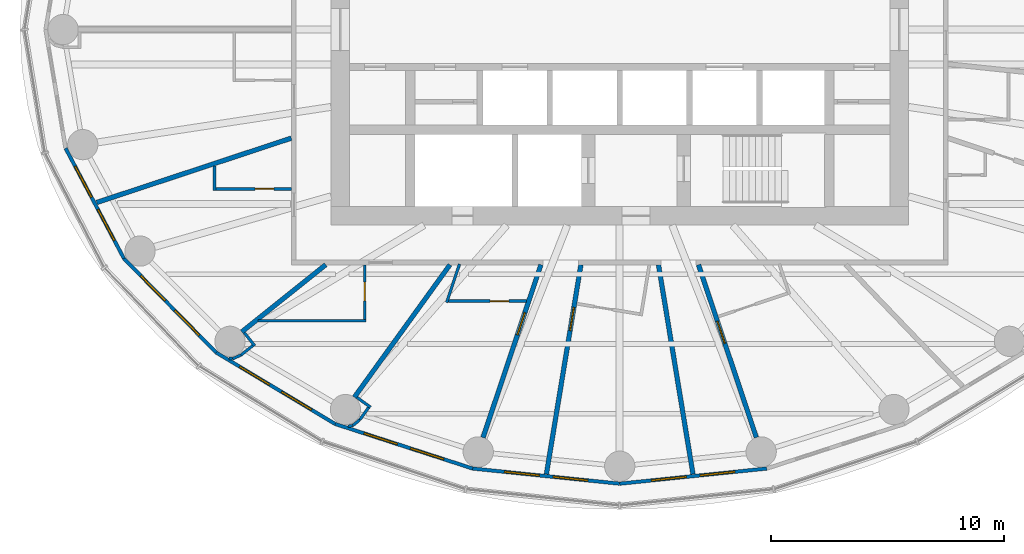
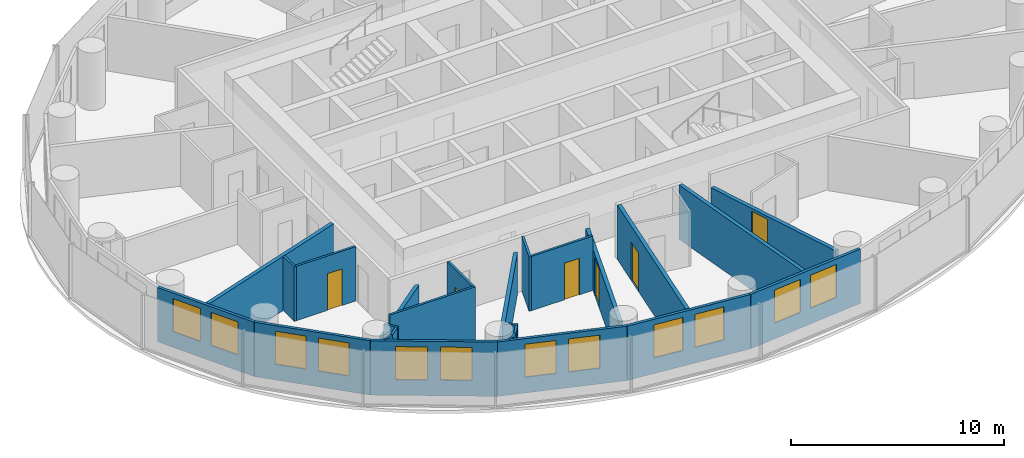
# One storey, part 6 of 13: 27 walls, 12 windows, 6 doors, 18 openings.
"""IFC4 building model written with IfcOpenShell, lengths in metres."""

from ifc_helpers import new_model, si_unit, direction, frame, frame_2d, origin, place, context, subcontext, project, spatial, rectangle, extrude, material, layer, layer_set, type_object, element, fill, save


model = new_model("IFC4")

# Units and contexts
model_context = context("Model", 3, precision=1e-05, world=origin(), true_north=direction((0.0, 1.0)))
body_context = subcontext(model_context, "Body", "Model", "MODEL_VIEW")
ifc_project = project(units=[si_unit("LENGTHUNIT", "METRE"), si_unit("AREAUNIT", "SQUARE_METRE"), si_unit("VOLUMEUNIT", "CUBIC_METRE"), si_unit("PLANEANGLEUNIT", "RADIAN"), si_unit("MASSUNIT", "GRAM", prefix="KILO")], contexts=[model_context])

# Site, building, storey
site_placement = place(None, origin())
site = spatial("IfcSite", under=ifc_project, at=site_placement, CompositionType="ELEMENT")
building_placement = place(site_placement, origin())
building = spatial("IfcBuilding", under=site, at=building_placement, Name="Hankou Lantern Tower", CompositionType="ELEMENT")
storey_placement = place(building_placement, frame((0.0, 0.0, 122.10009765625)))
storey = spatial("IfcBuildingStorey", under=building, at=storey_placement, Name="L31", CompositionType="ELEMENT", Elevation=122.10009765625)

# Wall, openings, windows
ifc_material_1 = material(Name="Aluminium spandrel panel on steel studs", Category="steel")
ifc_layer_1 = layer(ifc_material_1, 0.14990234375)
ifc_layer_set_1 = layer_set([ifc_layer_1], Name="Aluminium spandrel panel on steel studs")
wall_type_1 = type_object("IfcWallType", Name="EW1 INNER SKIN WALL 150", PredefinedType="ELEMENTEDWALL", material=ifc_layer_set_1)
wall_1_placement = place(storey_placement, frame((-23.7919921875, -5.10009765625, 0.0), z_axis=(0.0, 0.0, 1.0), x_axis=(0.467814388454, -0.883826735257, 0.0)))
wall_1 = element("IfcWall", 1, at=wall_1_placement, inside=storey, type_object=wall_type_1, Name="Inner skin R14-R15 L31", PredefinedType="ELEMENTEDWALL", context=body_context, shape_type="SweptSolid", body=[
    extrude(rectangle(XDim=5.35400390625, YDim=0.14990234375, at=frame_2d((2.677001953125, 0.0))), origin(), (0.0, 0.0, 1.0), 3.119873046875),
])
opening_1_placement = place(wall_1_placement, frame((0.876953125, 0.0, 0.89990234375)))
opening_1 = element("IfcOpeningElement", 2, at=opening_1_placement, cuts=wall_1, Name="Opening W2", PredefinedType="OPENING", context=body_context, shape_type="SweptSolid", body=[
    extrude(rectangle(XDim=1.5, YDim=1.89990234375, at=frame_2d((0.75, 0.949951171875))), frame((0.0, 0.0849609375, 0.0), z_axis=(0.0, -1.0, 0.0), x_axis=(1.0, 0.0, 0.0)), (0.0, 0.0, 1.0), 0.169921875),
])
opening_2_placement = place(wall_1_placement, frame((2.97705078125, 0.0, 0.89990234375)))
opening_2 = element("IfcOpeningElement", 3, at=opening_2_placement, cuts=wall_1, Name="Opening W2", PredefinedType="OPENING", context=body_context, shape_type="SweptSolid", body=[
    extrude(rectangle(XDim=1.5, YDim=1.89990234375, at=frame_2d((0.75, 0.949951171875))), frame((0.0, 0.0849609375, 0.0), z_axis=(0.0, -1.0, 0.0), x_axis=(1.0, 0.0, 0.0)), (0.0, 0.0, 1.0), 0.169921875),
])
ifc_material_2 = material(Name="Aluminium framed double glazed window", Category="aluminium")
window_type = type_object("IfcWindowType", Name="W2 GUEST ROOM WINDOW 1500X1900", PartitioningType="DOUBLE_PANEL_VERTICAL", PredefinedType="WINDOW", material=ifc_material_2)
window_1_placement = place(opening_1_placement, origin())
window_1 = element("IfcWindow", 4, at=window_1_placement, inside=storey, type_object=window_type, Name="Window R14.1 L31", OverallHeight=1.89990234375, OverallWidth=1.5, PartitioningType="SINGLE_PANEL", PredefinedType="WINDOW", context=body_context, shape_type="SweptSolid", body=[
    extrude(rectangle(XDim=1.5, YDim=1.89990234375, at=frame_2d((0.75, 0.949951171875))), frame((0.0, 0.030029296875, 0.0), z_axis=(0.0, -1.0, 0.0), x_axis=(1.0, 0.0, 0.0)), (0.0, 0.0, 1.0), 0.06005859375),
])
fill(opening_1, window_1)
window_2_placement = place(opening_2_placement, origin())
window_2 = element("IfcWindow", 5, at=window_2_placement, inside=storey, type_object=window_type, Name="Window R14.2 L31", OverallHeight=1.89990234375, OverallWidth=1.5, PartitioningType="SINGLE_PANEL", PredefinedType="WINDOW", context=body_context, shape_type="SweptSolid", body=[
    extrude(rectangle(XDim=1.5, YDim=1.89990234375, at=frame_2d((0.75, 0.949951171875))), frame((0.0, 0.030029296875, 0.0), z_axis=(0.0, -1.0, 0.0), x_axis=(1.0, 0.0, 0.0)), (0.0, 0.0, 1.0), 0.06005859375),
])
fill(opening_2, window_2)

wall_2_placement = place(storey_placement, frame((-21.287353515625, -9.83203125, 0.0), z_axis=(0.0, 0.0, 1.0), x_axis=(0.700136650834, -0.714008872605, 0.0)))
wall_2 = element("IfcWall", 6, at=wall_2_placement, inside=storey, type_object=wall_type_1, Name="Inner skin R15-R16 L31", PredefinedType="ELEMENTEDWALL", context=body_context, shape_type="SweptSolid", body=[
    extrude(rectangle(XDim=5.6494140625, YDim=0.14990234375, at=frame_2d((2.82470703125, 0.0))), origin(), (0.0, 0.0, 1.0), 3.119873046875),
])
opening_3_placement = place(wall_2_placement, frame((1.024658203125, 0.0, 0.89990234375)))
opening_3 = element("IfcOpeningElement", 7, at=opening_3_placement, cuts=wall_2, Name="Opening W2", PredefinedType="OPENING", context=body_context, shape_type="SweptSolid", body=[
    extrude(rectangle(XDim=1.5, YDim=1.89990234375, at=frame_2d((0.75, 0.949951171875))), frame((0.0, 0.0849609375, 0.0), z_axis=(0.0, -1.0, 0.0), x_axis=(1.0, 0.0, 0.0)), (0.0, 0.0, 1.0), 0.169921875),
])
opening_4_placement = place(wall_2_placement, frame((3.12451171875, 0.0, 0.89990234375)))
opening_4 = element("IfcOpeningElement", 8, at=opening_4_placement, cuts=wall_2, Name="Opening W2", PredefinedType="OPENING", context=body_context, shape_type="SweptSolid", body=[
    extrude(rectangle(XDim=1.5, YDim=1.89990234375, at=frame_2d((0.75, 0.949951171875))), frame((0.0, 0.0849609375, 0.0), z_axis=(0.0, -1.0, 0.0), x_axis=(1.0, 0.0, 0.0)), (0.0, 0.0, 1.0), 0.169921875),
])
window_3_placement = place(opening_3_placement, origin())
window_3 = element("IfcWindow", 9, at=window_3_placement, inside=storey, type_object=window_type, Name="Window R15.1 L31", OverallHeight=1.89990234375, OverallWidth=1.5, PartitioningType="SINGLE_PANEL", PredefinedType="WINDOW", context=body_context, shape_type="SweptSolid", body=[
    extrude(rectangle(XDim=1.5, YDim=1.89990234375, at=frame_2d((0.75, 0.949951171875))), frame((0.0, 0.030029296875, 0.0), z_axis=(0.0, -1.0, 0.0), x_axis=(1.0, 0.0, 0.0)), (0.0, 0.0, 1.0), 0.06005859375),
])
fill(opening_3, window_3)
window_4_placement = place(opening_4_placement, origin())
window_4 = element("IfcWindow", 10, at=window_4_placement, inside=storey, type_object=window_type, Name="Window R15.2 L31", OverallHeight=1.89990234375, OverallWidth=1.5, PartitioningType="SINGLE_PANEL", PredefinedType="WINDOW", context=body_context, shape_type="SweptSolid", body=[
    extrude(rectangle(XDim=1.5, YDim=1.89990234375, at=frame_2d((0.75, 0.949951171875))), frame((0.0, 0.030029296875, 0.0), z_axis=(0.0, -1.0, 0.0), x_axis=(1.0, 0.0, 0.0)), (0.0, 0.0, 1.0), 0.06005859375),
])
fill(opening_4, window_4)

wall_3_placement = place(storey_placement, frame((-17.33203125, -13.86572265625, 0.0), z_axis=(0.0, 0.0, 1.0), x_axis=(0.857308573723, -0.514802884044, 0.0)))
wall_3 = element("IfcWall", 11, at=wall_3_placement, inside=storey, type_object=wall_type_1, Name="Inner skin R16-R17 L31", PredefinedType="ELEMENTEDWALL", context=body_context, shape_type="SweptSolid", body=[
    extrude(rectangle(XDim=5.961181640625, YDim=0.14990234375, at=frame_2d((2.98046875, 0.0))), origin(), (0.0, 0.0, 1.0), 3.119873046875),
])
opening_5_placement = place(wall_3_placement, frame((1.1806640625, 0.0, 0.89990234375)))
opening_5 = element("IfcOpeningElement", 12, at=opening_5_placement, cuts=wall_3, Name="Opening W2", PredefinedType="OPENING", context=body_context, shape_type="SweptSolid", body=[
    extrude(rectangle(XDim=1.5, YDim=1.89990234375, at=frame_2d((0.75, 0.949951171875))), frame((0.0, 0.0849609375, 0.0), z_axis=(0.0, -1.0, 0.0), x_axis=(1.0, 0.0, 0.0)), (0.0, 0.0, 1.0), 0.169921875),
])
opening_6_placement = place(wall_3_placement, frame((3.280517578125, 0.0, 0.89990234375)))
opening_6 = element("IfcOpeningElement", 13, at=opening_6_placement, cuts=wall_3, Name="Opening W2", PredefinedType="OPENING", context=body_context, shape_type="SweptSolid", body=[
    extrude(rectangle(XDim=1.5, YDim=1.89990234375, at=frame_2d((0.75, 0.949951171875))), frame((0.0, 0.0849609375, 0.0), z_axis=(0.0, -1.0, 0.0), x_axis=(1.0, 0.0, 0.0)), (0.0, 0.0, 1.0), 0.169921875),
])
window_5_placement = place(opening_5_placement, origin())
window_5 = element("IfcWindow", 14, at=window_5_placement, inside=storey, type_object=window_type, Name="Window R16.1 L31", OverallHeight=1.89990234375, OverallWidth=1.5, PartitioningType="SINGLE_PANEL", PredefinedType="WINDOW", context=body_context, shape_type="SweptSolid", body=[
    extrude(rectangle(XDim=1.5, YDim=1.89990234375, at=frame_2d((0.75, 0.949951171875))), frame((0.0, 0.030029296875, 0.0), z_axis=(0.0, -1.0, 0.0), x_axis=(1.0, 0.0, 0.0)), (0.0, 0.0, 1.0), 0.06005859375),
])
fill(opening_5, window_5)
window_6_placement = place(opening_6_placement, origin())
window_6 = element("IfcWindow", 15, at=window_6_placement, inside=storey, type_object=window_type, Name="Window R16.2 L31", OverallHeight=1.89990234375, OverallWidth=1.5, PartitioningType="SINGLE_PANEL", PredefinedType="WINDOW", context=body_context, shape_type="SweptSolid", body=[
    extrude(rectangle(XDim=1.5, YDim=1.89990234375, at=frame_2d((0.75, 0.949951171875))), frame((0.0, 0.030029296875, 0.0), z_axis=(0.0, -1.0, 0.0), x_axis=(1.0, 0.0, 0.0)), (0.0, 0.0, 1.0), 0.06005859375),
])
fill(opening_6, window_6)

wall_4_placement = place(storey_placement, frame((-12.221435546875, -16.9345703125, 0.0), z_axis=(0.0, 0.0, 1.0), x_axis=(0.951272691506, -0.308350881944, 0.0)))
wall_4 = element("IfcWall", 16, at=wall_4_placement, inside=storey, type_object=wall_type_1, Name="Inner skin R17-R18 L31", PredefinedType="ELEMENTEDWALL", context=body_context, shape_type="SweptSolid", body=[
    extrude(rectangle(XDim=6.210693359375, YDim=0.14990234375, at=frame_2d((3.10546875, 0.0))), origin(), (0.0, 0.0, 1.0), 3.119873046875),
])
opening_7_placement = place(wall_4_placement, frame((1.305419921875, 0.0, 0.89990234375)))
opening_7 = element("IfcOpeningElement", 17, at=opening_7_placement, cuts=wall_4, Name="Opening W2", PredefinedType="OPENING", context=body_context, shape_type="SweptSolid", body=[
    extrude(rectangle(XDim=1.5, YDim=1.89990234375, at=frame_2d((0.75, 0.949951171875))), frame((0.0, 0.0849609375, 0.0), z_axis=(0.0, -1.0, 0.0), x_axis=(1.0, 0.0, 0.0)), (0.0, 0.0, 1.0), 0.169921875),
])
opening_8_placement = place(wall_4_placement, frame((3.4052734375, 0.0, 0.89990234375)))
opening_8 = element("IfcOpeningElement", 18, at=opening_8_placement, cuts=wall_4, Name="Opening W2", PredefinedType="OPENING", context=body_context, shape_type="SweptSolid", body=[
    extrude(rectangle(XDim=1.5, YDim=1.89990234375, at=frame_2d((0.75, 0.949951171875))), frame((0.0, 0.0849609375, 0.0), z_axis=(0.0, -1.0, 0.0), x_axis=(1.0, 0.0, 0.0)), (0.0, 0.0, 1.0), 0.169921875),
])
window_7_placement = place(opening_7_placement, origin())
window_7 = element("IfcWindow", 19, at=window_7_placement, inside=storey, type_object=window_type, Name="Window R17.1 L31", OverallHeight=1.89990234375, OverallWidth=1.5, PartitioningType="SINGLE_PANEL", PredefinedType="WINDOW", context=body_context, shape_type="SweptSolid", body=[
    extrude(rectangle(XDim=1.5, YDim=1.89990234375, at=frame_2d((0.75, 0.949951171875))), frame((0.0, 0.030029296875, 0.0), z_axis=(0.0, -1.0, 0.0), x_axis=(1.0, 0.0, 0.0)), (0.0, 0.0, 1.0), 0.06005859375),
])
fill(opening_7, window_7)
window_8_placement = place(opening_8_placement, origin())
window_8 = element("IfcWindow", 20, at=window_8_placement, inside=storey, type_object=window_type, Name="Window R17.2 L31", OverallHeight=1.89990234375, OverallWidth=1.5, PartitioningType="SINGLE_PANEL", PredefinedType="WINDOW", context=body_context, shape_type="SweptSolid", body=[
    extrude(rectangle(XDim=1.5, YDim=1.89990234375, at=frame_2d((0.75, 0.949951171875))), frame((0.0, 0.030029296875, 0.0), z_axis=(0.0, -1.0, 0.0), x_axis=(1.0, 0.0, 0.0)), (0.0, 0.0, 1.0), 0.06005859375),
])
fill(opening_8, window_8)

wall_5_placement = place(storey_placement, frame((-6.3134765625, -18.849609375, 0.0), z_axis=(0.0, 0.0, 1.0), x_axis=(0.994735690163, -0.102473931887, 0.0)))
wall_5 = element("IfcWall", 21, at=wall_5_placement, inside=storey, type_object=wall_type_1, Name="Inner skin R18-R19 L31", PredefinedType="ELEMENTEDWALL", context=body_context, shape_type="SweptSolid", body=[
    extrude(rectangle(XDim=6.346923828125, YDim=0.14990234375, at=frame_2d((3.17333984375, 0.0))), origin(), (0.0, 0.0, 1.0), 3.119873046875),
])
opening_9_placement = place(wall_5_placement, frame((1.373291015625, 0.0, 0.89990234375)))
opening_9 = element("IfcOpeningElement", 22, at=opening_9_placement, cuts=wall_5, Name="Opening W2", PredefinedType="OPENING", context=body_context, shape_type="SweptSolid", body=[
    extrude(rectangle(XDim=1.5, YDim=1.89990234375, at=frame_2d((0.75, 0.949951171875))), frame((0.0, 0.0849609375, 0.0), z_axis=(0.0, -1.0, 0.0), x_axis=(1.0, 0.0, 0.0)), (0.0, 0.0, 1.0), 0.169921875),
])
opening_10_placement = place(wall_5_placement, frame((3.473388671875, 0.0, 0.89990234375)))
opening_10 = element("IfcOpeningElement", 23, at=opening_10_placement, cuts=wall_5, Name="Opening W2", PredefinedType="OPENING", context=body_context, shape_type="SweptSolid", body=[
    extrude(rectangle(XDim=1.5, YDim=1.89990234375, at=frame_2d((0.75, 0.949951171875))), frame((0.0, 0.0849609375, 0.0), z_axis=(0.0, -1.0, 0.0), x_axis=(1.0, 0.0, 0.0)), (0.0, 0.0, 1.0), 0.169921875),
])
window_9_placement = place(opening_9_placement, origin())
window_9 = element("IfcWindow", 24, at=window_9_placement, inside=storey, type_object=window_type, Name="Window R18.1 L31", OverallHeight=1.89990234375, OverallWidth=1.5, PartitioningType="SINGLE_PANEL", PredefinedType="WINDOW", context=body_context, shape_type="SweptSolid", body=[
    extrude(rectangle(XDim=1.5, YDim=1.89990234375, at=frame_2d((0.75, 0.949951171875))), frame((0.0, 0.030029296875, 0.0), z_axis=(0.0, -1.0, 0.0), x_axis=(1.0, 0.0, 0.0)), (0.0, 0.0, 1.0), 0.06005859375),
])
fill(opening_9, window_9)
window_10_placement = place(opening_10_placement, origin())
window_10 = element("IfcWindow", 25, at=window_10_placement, inside=storey, type_object=window_type, Name="Window R18.2 L31", OverallHeight=1.89990234375, OverallWidth=1.5, PartitioningType="SINGLE_PANEL", PredefinedType="WINDOW", context=body_context, shape_type="SweptSolid", body=[
    extrude(rectangle(XDim=1.5, YDim=1.89990234375, at=frame_2d((0.75, 0.949951171875))), frame((0.0, 0.030029296875, 0.0), z_axis=(0.0, -1.0, 0.0), x_axis=(1.0, 0.0, 0.0)), (0.0, 0.0, 1.0), 0.06005859375),
])
fill(opening_10, window_10)

wall_6_placement = place(storey_placement, frame((0.0, -19.5, 0.0), z_axis=(0.0, 0.0, 1.0), x_axis=(0.994735690163, 0.102473931887, 0.0)))
wall_6 = element("IfcWall", 26, at=wall_6_placement, inside=storey, type_object=wall_type_1, Name="Inner skin R19-R20 L31", PredefinedType="ELEMENTEDWALL", context=body_context, shape_type="SweptSolid", body=[
    extrude(rectangle(XDim=6.346923828125, YDim=0.14990234375, at=frame_2d((3.17333984375, 0.0))), origin(), (0.0, 0.0, 1.0), 3.119873046875),
])
opening_11_placement = place(wall_6_placement, frame((1.373291015625, 0.0, 0.89990234375)))
opening_11 = element("IfcOpeningElement", 27, at=opening_11_placement, cuts=wall_6, Name="Opening W2", PredefinedType="OPENING", context=body_context, shape_type="SweptSolid", body=[
    extrude(rectangle(XDim=1.5, YDim=1.89990234375, at=frame_2d((0.75, 0.949951171875))), frame((0.0, 0.0849609375, 0.0), z_axis=(0.0, -1.0, 0.0), x_axis=(1.0, 0.0, 0.0)), (0.0, 0.0, 1.0), 0.169921875),
])
opening_12_placement = place(wall_6_placement, frame((3.473388671875, 0.0, 0.89990234375)))
opening_12 = element("IfcOpeningElement", 28, at=opening_12_placement, cuts=wall_6, Name="Opening W2", PredefinedType="OPENING", context=body_context, shape_type="SweptSolid", body=[
    extrude(rectangle(XDim=1.5, YDim=1.89990234375, at=frame_2d((0.75, 0.949951171875))), frame((0.0, 0.0849609375, 0.0), z_axis=(0.0, -1.0, 0.0), x_axis=(1.0, 0.0, 0.0)), (0.0, 0.0, 1.0), 0.169921875),
])
window_11_placement = place(opening_11_placement, origin())
window_11 = element("IfcWindow", 29, at=window_11_placement, inside=storey, type_object=window_type, Name="Window R19.1 L31", OverallHeight=1.89990234375, OverallWidth=1.5, PartitioningType="SINGLE_PANEL", PredefinedType="WINDOW", context=body_context, shape_type="SweptSolid", body=[
    extrude(rectangle(XDim=1.5, YDim=1.89990234375, at=frame_2d((0.75, 0.949951171875))), frame((0.0, 0.030029296875, 0.0), z_axis=(0.0, -1.0, 0.0), x_axis=(1.0, 0.0, 0.0)), (0.0, 0.0, 1.0), 0.06005859375),
])
fill(opening_11, window_11)
window_12_placement = place(opening_12_placement, origin())
window_12 = element("IfcWindow", 30, at=window_12_placement, inside=storey, type_object=window_type, Name="Window R19.2 L31", OverallHeight=1.89990234375, OverallWidth=1.5, PartitioningType="SINGLE_PANEL", PredefinedType="WINDOW", context=body_context, shape_type="SweptSolid", body=[
    extrude(rectangle(XDim=1.5, YDim=1.89990234375, at=frame_2d((0.75, 0.949951171875))), frame((0.0, 0.030029296875, 0.0), z_axis=(0.0, -1.0, 0.0), x_axis=(1.0, 0.0, 0.0)), (0.0, 0.0, 1.0), 0.06005859375),
])
fill(opening_12, window_12)

# Walls
ifc_material_3 = material(Name="Masonry lightweight concrete block", Category="masonry")
ifc_layer_2 = layer(ifc_material_3, 0.199951171875)
ifc_layer_set_2 = layer_set([ifc_layer_2], Name="Masonry lightweight concrete block")
wall_type_2 = type_object("IfcWallType", Name="IW1 GUEST ROOM PARTY WALL 200", PredefinedType="PARTITIONING", material=ifc_layer_set_2)
wall_7_placement = place(storey_placement, frame((-14.10009765625, -4.662353515625, 0.0), z_axis=(0.0, 0.0, 1.0), x_axis=(-0.949446466373, -0.313928984789, 0.0)))
element("IfcWall", 31, at=wall_7_placement, inside=storey, type_object=wall_type_2, Name="Party wall R14-R15", PredefinedType="PARTITIONING", context=body_context, shape_type="SweptSolid", body=[
    extrude(rectangle(XDim=8.79736328125, YDim=0.199951171875, at=frame_2d((4.398681640625, 0.0))), origin(), (0.0, 0.0, 1.0), 3.119873046875),
])
wall_8_placement = place(storey_placement, frame((-12.625, -10.10009765625, 0.0), z_axis=(0.0, 0.0, 1.0), x_axis=(-0.780863644897, -0.624701503182, 0.0)))
element("IfcWall", 32, at=wall_8_placement, inside=storey, type_object=wall_type_2, Name="Party wall R16", PredefinedType="PARTITIONING", context=body_context, shape_type="SweptSolid", body=[
    extrude(rectangle(XDim=4.612060546875, YDim=0.199951171875, at=frame_2d((2.30615234375, 0.0))), origin(), (0.0, 0.0, 1.0), 2.369873046875),
])
wall_9_placement = place(storey_placement, frame((-7.2890625, -10.10009765625, 0.0), z_axis=(0.0, 0.0, 1.0), x_axis=(-0.585217367024, -0.81087645997, 0.0)))
element("IfcWall", 33, at=wall_9_placement, inside=storey, type_object=wall_type_2, Name="Party wall R17", PredefinedType="PARTITIONING", context=body_context, shape_type="SweptSolid", body=[
    extrude(rectangle(XDim=7.01611328125, YDim=0.199951171875, at=frame_2d((3.508056640625, 0.0))), origin(), (0.0, 0.0, 1.0), 2.369873046875),
])

# Wall, opening, door
ifc_material_4 = material(Name="Masonry lightweight concrete block", Category="masonry")
ifc_layer_3 = layer(ifc_material_4, 0.199951171875)
ifc_layer_set_3 = layer_set([ifc_layer_3], Name="Masonry lightweight concrete block")
wall_type_3 = type_object("IfcWallType", Name="IW2 CORRIDOR WALL 200", PredefinedType="PARTITIONING", material=ifc_layer_set_3)
wall_10_placement = place(storey_placement, frame((-3.3828125, -10.10009765625, 0.0), z_axis=(0.0, 0.0, 1.0), x_axis=(-0.317603705574, -0.948223542318, 0.0)))
wall_10 = element("IfcWall", 34, at=wall_10_placement, inside=storey, type_object=wall_type_3, Name="Corridor spur wall R18", PredefinedType="PARTITIONING", context=body_context, shape_type="SweptSolid", body=[
    extrude(rectangle(XDim=7.822998046875, YDim=0.199951171875, at=frame_2d((3.91162109375, 0.0))), origin(), (0.0, 0.0, 1.0), 2.369873046875),
])
opening_13_placement = place(wall_10_placement, frame((2.168212890625, 0.0, 0.0)))
opening_13 = element("IfcOpeningElement", 35, at=opening_13_placement, cuts=wall_10, Name="Opening D1", PredefinedType="OPENING", context=body_context, shape_type="SweptSolid", body=[
    extrude(rectangle(XDim=1.0, YDim=2.199951171875, at=frame_2d((0.5, 1.10009765625))), frame((0.0, 0.10986328125, 0.0), z_axis=(0.0, -1.0, 0.0), x_axis=(1.0, 0.0, 0.0)), (0.0, 0.0, 1.0), 0.219970703125),
])
ifc_material_5 = material(Name="Steel door leaf", Category="steel")
door_type_1 = type_object("IfcDoorType", Name="D1 GUEST ROOM DOOR 1000X2200", OperationType="SINGLE_SWING_LEFT", PredefinedType="DOOR", material=ifc_material_5)
door_1_placement = place(opening_13_placement, origin())
door_1 = element("IfcDoor", 36, at=door_1_placement, inside=storey, type_object=door_type_1, Name="Guest room door 3110", OperationType="SINGLE_SWING_LEFT", OverallHeight=2.199951171875, OverallWidth=1.0, PredefinedType="DOOR", context=body_context, shape_type="SweptSolid", body=[
    extrude(rectangle(XDim=1.0, YDim=2.199951171875, at=frame_2d((0.5, 1.10009765625))), frame((0.0, 0.02490234375, 0.0), z_axis=(0.0, -1.0, 0.0), x_axis=(1.0, 0.0, 0.0)), (0.0, 0.0, 1.0), 0.050048828125),
])
fill(opening_13, door_1)

wall_11_placement = place(storey_placement, frame((-1.665283203125, -10.10009765625, 0.0), z_axis=(0.0, 0.0, 1.0), x_axis=(-0.162660519103, -0.986682094459, 0.0)))
wall_11 = element("IfcWall", 37, at=wall_11_placement, inside=storey, type_object=wall_type_3, Name="Corridor spur wall R18-R19", PredefinedType="PARTITIONING", context=body_context, shape_type="SweptSolid", body=[
    extrude(rectangle(XDim=9.110595703125, YDim=0.199951171875, at=frame_2d((4.55517578125, 0.0))), origin(), (0.0, 0.0, 1.0), 3.119873046875),
])
opening_14_placement = place(wall_11_placement, frame((1.860107421875, 0.0, 0.0)))
opening_14 = element("IfcOpeningElement", 38, at=opening_14_placement, cuts=wall_11, Name="Opening D1", PredefinedType="OPENING", context=body_context, shape_type="SweptSolid", body=[
    extrude(rectangle(XDim=1.0, YDim=2.199951171875, at=frame_2d((0.5, 1.10009765625))), frame((0.0, 0.10986328125, 0.0), z_axis=(0.0, -1.0, 0.0), x_axis=(1.0, 0.0, 0.0)), (0.0, 0.0, 1.0), 0.219970703125),
])
door_2_placement = place(opening_14_placement, origin())
door_2 = element("IfcDoor", 39, at=door_2_placement, inside=storey, type_object=door_type_1, Name="Guest room door 3112", OperationType="SINGLE_SWING_LEFT", OverallHeight=2.199951171875, OverallWidth=1.0, PredefinedType="DOOR", context=body_context, shape_type="SweptSolid", body=[
    extrude(rectangle(XDim=1.0, YDim=2.199951171875, at=frame_2d((0.5, 1.10009765625))), frame((0.0, 0.02490234375, 0.0), z_axis=(0.0, -1.0, 0.0), x_axis=(1.0, 0.0, 0.0)), (0.0, 0.0, 1.0), 0.050048828125),
])
fill(opening_14, door_2)

# Wall
wall_12_placement = place(storey_placement, frame((1.665283203125, -10.10009765625, 0.0), z_axis=(0.0, 0.0, 1.0), x_axis=(0.162660519103, -0.986682094459, 0.0)))
element("IfcWall", 40, at=wall_12_placement, inside=storey, type_object=wall_type_3, Name="Corridor spur wall R19-R20", PredefinedType="PARTITIONING", context=body_context, shape_type="SweptSolid", body=[
    extrude(rectangle(XDim=9.110595703125, YDim=0.199951171875, at=frame_2d((4.55517578125, 0.0))), origin(), (0.0, 0.0, 1.0), 3.119873046875),
])

# Wall, opening, door
wall_13_placement = place(storey_placement, frame((3.3828125, -10.10009765625, 0.0), z_axis=(0.0, 0.0, 1.0), x_axis=(0.317603705574, -0.948223542318, 0.0)))
wall_13 = element("IfcWall", 41, at=wall_13_placement, inside=storey, type_object=wall_type_3, Name="Corridor spur wall R20", PredefinedType="PARTITIONING", context=body_context, shape_type="SweptSolid", body=[
    extrude(rectangle(XDim=7.822998046875, YDim=0.199951171875, at=frame_2d((3.91162109375, 0.0))), origin(), (0.0, 0.0, 1.0), 2.369873046875),
])
opening_15_placement = place(wall_13_placement, frame((2.56005859375, 0.0, 0.0)))
opening_15 = element("IfcOpeningElement", 42, at=opening_15_placement, cuts=wall_13, Name="Opening D1", PredefinedType="OPENING", context=body_context, shape_type="SweptSolid", body=[
    extrude(rectangle(XDim=1.0, YDim=2.199951171875, at=frame_2d((0.5, 1.10009765625))), frame((0.0, 0.10986328125, 0.0), z_axis=(0.0, -1.0, 0.0), x_axis=(1.0, 0.0, 0.0)), (0.0, 0.0, 1.0), 0.219970703125),
])
door_3_placement = place(opening_15_placement, origin())
door_3 = element("IfcDoor", 43, at=door_3_placement, inside=storey, type_object=door_type_1, Name="Guest room door 3114", OperationType="SINGLE_SWING_LEFT", OverallHeight=2.199951171875, OverallWidth=1.0, PredefinedType="DOOR", context=body_context, shape_type="SweptSolid", body=[
    extrude(rectangle(XDim=1.0, YDim=2.199951171875, at=frame_2d((0.5, 1.10009765625))), frame((0.0, 0.02490234375, 0.0), z_axis=(0.0, -1.0, 0.0), x_axis=(1.0, 0.0, 0.0)), (0.0, 0.0, 1.0), 0.050048828125),
])
fill(opening_15, door_3)

# Wall
ifc_material_6 = material(Name="Masonry lightweight concrete block", Category="masonry")
ifc_layer_4 = layer(ifc_material_6, 0.1201171875)
ifc_layer_set_4 = layer_set([ifc_layer_4], Name="Masonry lightweight concrete block")
wall_type_4 = type_object("IfcWallType", Name="IW3 BATHROOM WALL 120", PredefinedType="PARTITIONING", material=ifc_layer_set_4)
wall_14_placement = place(storey_placement, frame((-17.39990234375, -5.853515625, 0.0), z_axis=(0.0, 0.0, 1.0), x_axis=(0.0, -1.0, 0.0)))
element("IfcWall", 44, at=wall_14_placement, inside=storey, type_object=wall_type_4, Name="Box wall 3108 1", PredefinedType="PARTITIONING", context=body_context, shape_type="SweptSolid", body=[
    extrude(rectangle(XDim=1.048828125, YDim=0.1201171875, at=frame_2d((0.5244140625, 0.0))), origin(), (0.0, 0.0, 1.0), 3.119873046875),
])

# Wall, opening, door
wall_15_placement = place(storey_placement, frame((-14.10009765625, -6.84228515625, 0.0), z_axis=(0.0, 0.0, 1.0), x_axis=(-1.0, 0.0, 0.0)))
wall_15 = element("IfcWall", 45, at=wall_15_placement, inside=storey, type_object=wall_type_4, Name="Box wall 3108 1", PredefinedType="PARTITIONING", context=body_context, shape_type="SweptSolid", body=[
    extrude(rectangle(XDim=3.239990234375, YDim=0.1201171875, at=frame_2d((1.6201171875, 0.0))), origin(), (0.0, 0.0, 1.0), 3.119873046875),
])
opening_16_placement = place(wall_15_placement, frame((0.75, 0.0, 0.0)))
opening_16 = element("IfcOpeningElement", 46, at=opening_16_placement, cuts=wall_15, Name="Opening D3", PredefinedType="OPENING", context=body_context, shape_type="SweptSolid", body=[
    extrude(rectangle(XDim=0.800048828125, YDim=2.10009765625, at=frame_2d((0.39990234375, 1.050048828125))), frame((0.0, 0.070068359375, 0.0), z_axis=(0.0, -1.0, 0.0), x_axis=(1.0, 0.0, 0.0)), (0.0, 0.0, 1.0), 0.14013671875),
])
ifc_material_7 = material(Name="Timber door leaf", Category="wood")
door_type_2 = type_object("IfcDoorType", Name="D3 BATHROOM DOOR 800X2100", OperationType="SINGLE_SWING_LEFT", PredefinedType="DOOR", material=ifc_material_7)
door_4_placement = place(opening_16_placement, origin())
door_4 = element("IfcDoor", 47, at=door_4_placement, inside=storey, type_object=door_type_2, Name="En-suite bathroom 3108 door", OperationType="SINGLE_SWING_LEFT", OverallHeight=2.10009765625, OverallWidth=0.800048828125, PredefinedType="DOOR", context=body_context, shape_type="SweptSolid", body=[
    extrude(rectangle(XDim=0.800048828125, YDim=2.10009765625, at=frame_2d((0.39990234375, 1.050048828125))), frame((0.0, 0.02490234375, 0.0), z_axis=(0.0, -1.0, 0.0), x_axis=(1.0, 0.0, 0.0)), (0.0, 0.0, 1.0), 0.050048828125),
])
fill(opening_16, door_4)

# Wall
wall_16_placement = place(storey_placement, frame((-15.52490234375, -12.5, 0.0), z_axis=(0.0, 0.0, 1.0), x_axis=(1.0, 0.0, 0.0)))
element("IfcWall", 48, at=wall_16_placement, inside=storey, type_object=wall_type_4, Name="Box wall 3109 1", PredefinedType="PARTITIONING", context=body_context, shape_type="SweptSolid", body=[
    extrude(rectangle(XDim=4.639892578125, YDim=0.1201171875, at=frame_2d((2.31982421875, 0.0))), origin(), (0.0, 0.0, 1.0), 3.119873046875),
])

# Wall, opening, door
wall_17_placement = place(storey_placement, frame((-10.945068359375, -10.10009765625, 0.0), z_axis=(0.0, 0.0, 1.0), x_axis=(0.0, -1.0, 0.0)))
wall_17 = element("IfcWall", 49, at=wall_17_placement, inside=storey, type_object=wall_type_4, Name="Box wall 3109 1", PredefinedType="PARTITIONING", context=body_context, shape_type="SweptSolid", body=[
    extrude(rectangle(XDim=2.33984375, YDim=0.1201171875, at=frame_2d((1.169921875, 0.0))), origin(), (0.0, 0.0, 1.0), 3.119873046875),
])
opening_17_placement = place(wall_17_placement, frame((0.75, 0.0, 0.0)))
opening_17 = element("IfcOpeningElement", 50, at=opening_17_placement, cuts=wall_17, Name="Opening D3", PredefinedType="OPENING", context=body_context, shape_type="SweptSolid", body=[
    extrude(rectangle(XDim=0.800048828125, YDim=2.10009765625, at=frame_2d((0.39990234375, 1.050048828125))), frame((0.0, 0.070068359375, 0.0), z_axis=(0.0, -1.0, 0.0), x_axis=(1.0, 0.0, 0.0)), (0.0, 0.0, 1.0), 0.14013671875),
])
door_5_placement = place(opening_17_placement, origin())
door_5 = element("IfcDoor", 51, at=door_5_placement, inside=storey, type_object=door_type_2, Name="En-suite bathroom 3109 door", OperationType="SINGLE_SWING_LEFT", OverallHeight=2.10009765625, OverallWidth=0.800048828125, PredefinedType="DOOR", context=body_context, shape_type="SweptSolid", body=[
    extrude(rectangle(XDim=0.800048828125, YDim=2.10009765625, at=frame_2d((0.39990234375, 1.050048828125))), frame((0.0, 0.02490234375, 0.0), z_axis=(0.0, -1.0, 0.0), x_axis=(1.0, 0.0, 0.0)), (0.0, 0.0, 1.0), 0.050048828125),
])
fill(opening_17, door_5)

# Wall
wall_18_placement = place(storey_placement, frame((-6.877685546875, -10.068359375, 0.0), z_axis=(0.0, 0.0, 1.0), x_axis=(-0.317532394508, -0.948247424694, 0.0)))
element("IfcWall", 52, at=wall_18_placement, inside=storey, type_object=wall_type_4, Name="Box wall 3110 1", PredefinedType="PARTITIONING", context=body_context, shape_type="SweptSolid", body=[
    extrude(rectangle(XDim=1.739990234375, YDim=0.1201171875, at=frame_2d((0.8701171875, 0.0))), origin(), (0.0, 0.0, 1.0), 3.119873046875),
])

# Wall, opening, door
wall_19_placement = place(storey_placement, frame((-4.01123046875, -11.661376953125, 0.0), z_axis=(0.0, 0.0, 1.0), x_axis=(-1.0, 0.0, 0.0)))
wall_19 = element("IfcWall", 53, at=wall_19_placement, inside=storey, type_object=wall_type_4, Name="Box wall 3110 1", PredefinedType="PARTITIONING", context=body_context, shape_type="SweptSolid", body=[
    extrude(rectangle(XDim=3.340087890625, YDim=0.1201171875, at=frame_2d((1.669921875, 0.0))), origin(), (0.0, 0.0, 1.0), 3.119873046875),
])
opening_18_placement = place(wall_19_placement, frame((0.75, 0.0, 0.0)))
opening_18 = element("IfcOpeningElement", 54, at=opening_18_placement, cuts=wall_19, Name="Opening D3", PredefinedType="OPENING", context=body_context, shape_type="SweptSolid", body=[
    extrude(rectangle(XDim=0.800048828125, YDim=2.10009765625, at=frame_2d((0.39990234375, 1.050048828125))), frame((0.0, 0.070068359375, 0.0), z_axis=(0.0, -1.0, 0.0), x_axis=(1.0, 0.0, 0.0)), (0.0, 0.0, 1.0), 0.14013671875),
])
door_6_placement = place(opening_18_placement, origin())
door_6 = element("IfcDoor", 55, at=door_6_placement, inside=storey, type_object=door_type_2, Name="En-suite bathroom 3110 door", OperationType="SINGLE_SWING_LEFT", OverallHeight=2.10009765625, OverallWidth=0.800048828125, PredefinedType="DOOR", context=body_context, shape_type="SweptSolid", body=[
    extrude(rectangle(XDim=0.800048828125, YDim=2.10009765625, at=frame_2d((0.39990234375, 1.050048828125))), frame((0.0, 0.02490234375, 0.0), z_axis=(0.0, -1.0, 0.0), x_axis=(1.0, 0.0, 0.0)), (0.0, 0.0, 1.0), 0.050048828125),
])
fill(opening_18, door_6)

# Walls
ifc_material_8 = material(Name="Masonry lightweight concrete block", Category="masonry")
ifc_layer_5 = layer(ifc_material_8, 0.1201171875)
ifc_layer_set_5 = layer_set([ifc_layer_5], Name="Masonry lightweight concrete block")
wall_type_5 = type_object("IfcWallType", Name="IW4 PARTITION 120", PredefinedType="PARTITIONING", material=ifc_layer_set_5)
wall_20_placement = place(storey_placement, frame((-16.116943359375, -13.021728515625, 0.0), z_axis=(0.0, 0.0, 1.0), x_axis=(0.62465344249, -0.780902091677, 0.0)))
element("IfcWall", 56, at=wall_20_placement, inside=storey, type_object=wall_type_5, Name="Column casing R16 return", PredefinedType="PARTITIONING", context=body_context, shape_type="SweptSolid", body=[
    extrude(rectangle(XDim=0.715576171875, YDim=0.1201171875, at=frame_2d((0.35791015625, 0.0))), origin(), (0.0, 0.0, 1.0), 3.119873046875),
])
wall_21_placement = place(storey_placement, frame((-15.754150390625, -13.5712890625, 0.0), z_axis=(0.0, 0.0, 1.0), x_axis=(-0.780905453553, -0.624649239663, 0.0)))
element("IfcWall", 57, at=wall_21_placement, inside=storey, type_object=wall_type_5, Name="Column casing R16", PredefinedType="PARTITIONING", context=body_context, shape_type="SweptSolid", body=[
    extrude(rectangle(XDim=0.64990234375, YDim=0.1201171875, at=frame_2d((0.324951171875, 0.0))), origin(), (0.0, 0.0, 1.0), 3.119873046875),
])
wall_22_placement = place(storey_placement, frame((-16.26171875, -13.977294921875, 0.0), z_axis=(0.0, 0.0, 1.0), x_axis=(-0.915985403703, -0.401211590314, 0.0)))
element("IfcWall", 58, at=wall_22_placement, inside=storey, type_object=wall_type_5, Name="Column casing R16", PredefinedType="PARTITIONING", context=body_context, shape_type="SweptSolid", body=[
    extrude(rectangle(XDim=0.391357421875, YDim=0.1201171875, at=frame_2d((0.19580078125, 0.0))), origin(), (0.0, 0.0, 1.0), 3.119873046875),
])
wall_23_placement = place(storey_placement, frame((-16.6201171875, -14.13427734375, 0.0), z_axis=(0.0, 0.0, 1.0), x_axis=(-0.993941871493, 0.109907033867, 0.0)))
element("IfcWall", 59, at=wall_23_placement, inside=storey, type_object=wall_type_5, Name="Column casing R16", PredefinedType="PARTITIONING", context=body_context, shape_type="SweptSolid", body=[
    extrude(rectangle(XDim=0.1533203125, YDim=0.1201171875, at=frame_2d((0.07666015625, 0.0))), origin(), (0.0, 0.0, 1.0), 3.119873046875),
])
wall_24_placement = place(storey_placement, frame((-11.27880859375, -15.799072265625, 0.0), z_axis=(0.0, 0.0, 1.0), x_axis=(0.810912957127, -0.585166793285, 0.0)))
element("IfcWall", 60, at=wall_24_placement, inside=storey, type_object=wall_type_5, Name="Column casing R17 return", PredefinedType="PARTITIONING", context=body_context, shape_type="SweptSolid", body=[
    extrude(rectangle(XDim=0.7158203125, YDim=0.1201171875, at=frame_2d((0.35791015625, 0.0))), origin(), (0.0, 0.0, 1.0), 3.119873046875),
])
wall_25_placement = place(storey_placement, frame((-10.781982421875, -16.2314453125, 0.0), z_axis=(0.0, 0.0, 1.0), x_axis=(-0.585175102182, -0.810906961239, 0.0)))
element("IfcWall", 61, at=wall_25_placement, inside=storey, type_object=wall_type_5, Name="Column casing R17", PredefinedType="PARTITIONING", context=body_context, shape_type="SweptSolid", body=[
    extrude(rectangle(XDim=0.64990234375, YDim=0.1201171875, at=frame_2d((0.324951171875, 0.0))), origin(), (0.0, 0.0, 1.0), 3.119873046875),
])
wall_26_placement = place(storey_placement, frame((-11.162353515625, -16.758544921875, 0.0), z_axis=(0.0, 0.0, 1.0), x_axis=(-0.775178428527, -0.63174235567, 0.0)))
element("IfcWall", 62, at=wall_26_placement, inside=storey, type_object=wall_type_5, Name="Column casing R17", PredefinedType="PARTITIONING", context=body_context, shape_type="SweptSolid", body=[
    extrude(rectangle(XDim=0.3916015625, YDim=0.1201171875, at=frame_2d((0.19580078125, 0.0))), origin(), (0.0, 0.0, 1.0), 3.119873046875),
])
wall_27_placement = place(storey_placement, frame((-11.4658203125, -17.005859375, 0.0), z_axis=(0.0, 0.0, 1.0), x_axis=(-0.987228877621, -0.15930832744, 0.0)))
element("IfcWall", 63, at=wall_27_placement, inside=storey, type_object=wall_type_5, Name="Column casing R17", PredefinedType="PARTITIONING", context=body_context, shape_type="SweptSolid", body=[
    extrude(rectangle(XDim=0.202392578125, YDim=0.1201171875, at=frame_2d((0.10107421875, 0.0))), origin(), (0.0, 0.0, 1.0), 3.119873046875),
])

save(model, "model.ifc")
